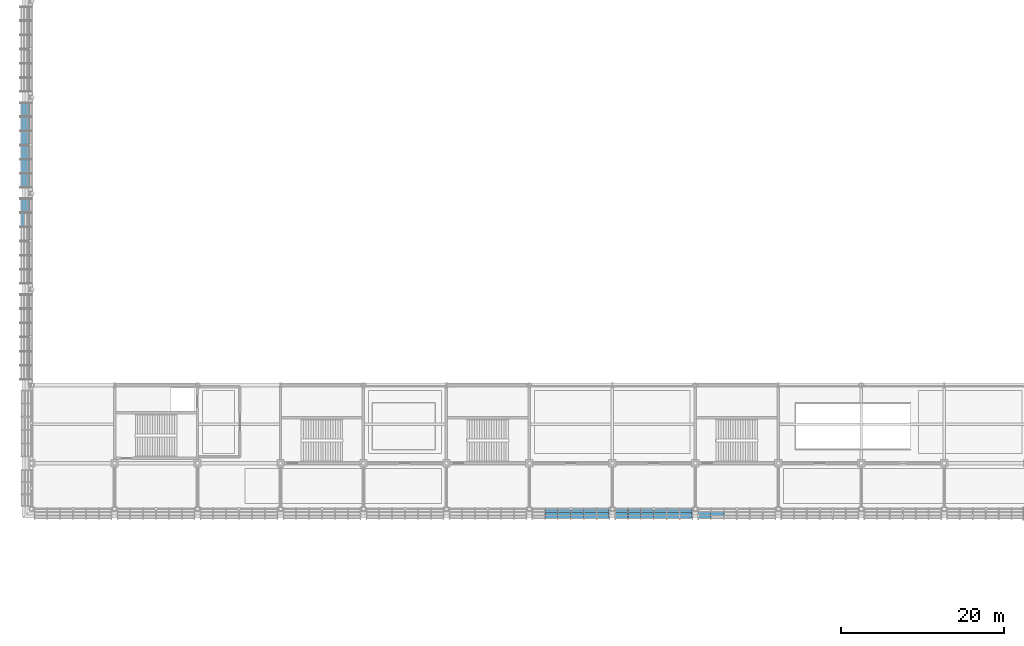
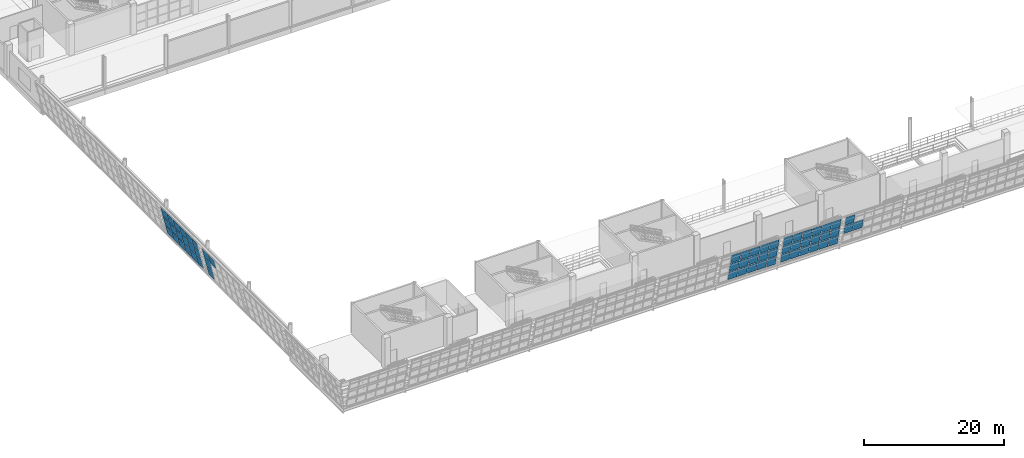
# One storey, part 105 of 175: 58 plates, 5 elements without a shape of their own.
"""IFC4 building model written with IfcOpenShell, lengths in metres."""

from ifc_helpers import new_model, si_unit, direction, frame, origin, place, context, subcontext, project, spatial, polyline, outline, extrude, material, layer, layer_set, type_object, element, aggregate, save


model = new_model("IFC4")

# Units and contexts
model_context = context("Model", 3, precision=1e-05, world=origin(), true_north=direction((0.0, 1.0)))
body_context = subcontext(model_context, "Body", "Model", "MODEL_VIEW")
ifc_project = project(units=[si_unit("LENGTHUNIT", "METRE"), si_unit("AREAUNIT", "SQUARE_METRE"), si_unit("VOLUMEUNIT", "CUBIC_METRE"), si_unit("PLANEANGLEUNIT", "RADIAN"), si_unit("MASSUNIT", "GRAM", prefix="KILO")], contexts=[model_context])

# Site, building, storey
site_placement = place(None, origin())
site = spatial("IfcSite", under=ifc_project, at=site_placement, CompositionType="ELEMENT")
building_placement = place(site_placement, origin())
building = spatial("IfcBuilding", under=site, at=building_placement, Name="Brelvane Convention Centre", CompositionType="ELEMENT")
storey_placement = place(building_placement, frame((0.0, 0.0, 5.39990234375)))
storey = spatial("IfcBuildingStorey", under=building, at=storey_placement, Name="L01", CompositionType="ELEMENT", Elevation=5.39990234375)

# Curtain wall, plates
ifc_material_1 = material(Name="Anodised Aluminium Alloy 6063-T6", Category="aluminium")
curtain_wall_type = type_object("IfcCurtainWallType", Name="Curtain Wall CW-HULL-S", PredefinedType="USERDEFINED", material=ifc_material_1)
curtain_wall_1_placement = place(storey_placement, origin())
curtain_wall_1 = element("IfcCurtainWall", 1, at=curtain_wall_1_placement, inside=storey, type_object=curtain_wall_type, Name="Curtain Wall CW-HULL-S L01-HULL-S-L01-07", ObjectType="UNITISED", PredefinedType="USERDEFINED")
ifc_material_2 = material(Name="Double Glazed Low-E Laminated Unit")
ifc_layer_1 = layer(ifc_material_2, 0.031982421875)
ifc_layer_set_1 = layer_set([ifc_layer_1], Name="Double Glazed Low-E Laminated Unit")
plate_type_1 = type_object("IfcPlateType", Name="Curtain Panel CW-PG1", PredefinedType="CURTAIN_PANEL", material=ifc_layer_set_1)
plate_1_placement = place(storey_placement, frame((63.1533203125, 13.18798828125, 1.7568359375), z_axis=(0.0, 0.973584535906, 0.228326852222), x_axis=(1.0, 0.0, 0.0)))
plate_1 = element("IfcPlate", 2, at=plate_1_placement, type_object=plate_type_1, Name="CW-HULL-S panel 2.2", PredefinedType="CURTAIN_PANEL", context=body_context, shape_type="SweptSolid", body=[
    extrude(outline(polyline([(0.0, 0.0), (1.513427734375, 0.0), (1.513427734375, -1.680875721647406), (0.0, -1.680875721647406), (0.0, 0.0)])), origin(), (0.0, 0.0, -1.0), 0.031982421875),
])
plate_2_placement = place(storey_placement, frame((63.1533203125, 12.785400390625, 3.473388671875), z_axis=(0.0, 0.973577021422, 0.228358891569), x_axis=(1.0, 0.0, 0.0)))
plate_2 = element("IfcPlate", 3, at=plate_2_placement, type_object=plate_type_1, Name="CW-HULL-S panel 2.3", PredefinedType="CURTAIN_PANEL", context=body_context, shape_type="SweptSolid", body=[
    extrude(outline(polyline([(0.0, 0.0), (1.513427734375, 0.0), (1.513427734375, -1.6400137352949753), (0.0, -1.6400137352949753), (0.0, 0.0)])), origin(), (0.0, 0.0, -1.0), 0.031982421875),
])
plate_3_placement = place(storey_placement, frame((64.74658203125, 13.18798828125, 1.7568359375), z_axis=(0.0, 0.973584535906, 0.228326852222), x_axis=(1.0, 0.0, 0.0)))
plate_3 = element("IfcPlate", 4, at=plate_3_placement, type_object=plate_type_1, Name="CW-HULL-S panel 3.2", PredefinedType="CURTAIN_PANEL", context=body_context, shape_type="SweptSolid", body=[
    extrude(outline(polyline([(0.0, 0.0), (1.513427734375, 0.0), (1.513427734375, -1.680875721647406), (0.0, -1.680875721647406), (0.0, 0.0)])), origin(), (0.0, 0.0, -1.0), 0.031982421875),
])
plate_4_placement = place(storey_placement, frame((64.74658203125, 12.785400390625, 3.473388671875), z_axis=(0.0, 0.973577021422, 0.228358891569), x_axis=(1.0, 0.0, 0.0)))
plate_4 = element("IfcPlate", 5, at=plate_4_placement, type_object=plate_type_1, Name="CW-HULL-S panel 3.3", PredefinedType="CURTAIN_PANEL", context=body_context, shape_type="SweptSolid", body=[
    extrude(outline(polyline([(0.0, 0.0), (1.513427734375, 0.0), (1.513427734375, -1.6400137352949753), (0.0, -1.6400137352949753), (0.0, 0.0)])), origin(), (0.0, 0.0, -1.0), 0.031982421875),
])
plate_5_placement = place(storey_placement, frame((66.340087890625, 13.18798828125, 1.7568359375), z_axis=(0.0, 0.973584535906, 0.228326852222), x_axis=(1.0, 0.0, 0.0)))
plate_5 = element("IfcPlate", 6, at=plate_5_placement, type_object=plate_type_1, Name="CW-HULL-S panel 4.2", PredefinedType="CURTAIN_PANEL", context=body_context, shape_type="SweptSolid", body=[
    extrude(outline(polyline([(0.0, 0.0), (1.51318359375, 0.0), (1.51318359375, -1.680875721647406), (0.0, -1.680875721647406), (0.0, 0.0)])), origin(), (0.0, 0.0, -1.0), 0.031982421875),
])
plate_6_placement = place(storey_placement, frame((66.340087890625, 12.785400390625, 3.473388671875), z_axis=(0.0, 0.973577021422, 0.228358891569), x_axis=(1.0, 0.0, 0.0)))
plate_6 = element("IfcPlate", 7, at=plate_6_placement, type_object=plate_type_1, Name="CW-HULL-S panel 4.3", PredefinedType="CURTAIN_PANEL", context=body_context, shape_type="SweptSolid", body=[
    extrude(outline(polyline([(0.0, 0.0), (1.51318359375, 0.0), (1.51318359375, -1.640013735294975), (0.0, -1.640013735294975), (0.0, 0.0)])), origin(), (0.0, 0.0, -1.0), 0.031982421875),
])
plate_7_placement = place(storey_placement, frame((67.933349609375, 13.18798828125, 1.7568359375), z_axis=(0.0, 0.973584535906, 0.228326852222), x_axis=(1.0, 0.0, 0.0)))
plate_7 = element("IfcPlate", 8, at=plate_7_placement, type_object=plate_type_1, Name="CW-HULL-S panel 5.2", PredefinedType="CURTAIN_PANEL", context=body_context, shape_type="SweptSolid", body=[
    extrude(outline(polyline([(0.0, 0.0), (1.513427734375, 0.0), (1.513427734375, -1.680875721647406), (0.0, -1.680875721647406), (0.0, 0.0)])), origin(), (0.0, 0.0, -1.0), 0.031982421875),
])
plate_8_placement = place(storey_placement, frame((67.933349609375, 12.785400390625, 3.473388671875), z_axis=(0.0, 0.973577021422, 0.228358891569), x_axis=(1.0, 0.0, 0.0)))
plate_8 = element("IfcPlate", 9, at=plate_8_placement, type_object=plate_type_1, Name="CW-HULL-S panel 5.3", PredefinedType="CURTAIN_PANEL", context=body_context, shape_type="SweptSolid", body=[
    extrude(outline(polyline([(0.0, 0.0), (1.513427734375, 0.0), (1.513427734375, -1.6400137352949753), (0.0, -1.6400137352949753), (0.0, 0.0)])), origin(), (0.0, 0.0, -1.0), 0.031982421875),
])
plate_9_placement = place(storey_placement, frame((69.526611328125, 13.18798828125, 1.7568359375), z_axis=(0.0, 0.973584535906, 0.228326852222), x_axis=(1.0, 0.0, 0.0)))
plate_9 = element("IfcPlate", 10, at=plate_9_placement, type_object=plate_type_1, Name="CW-HULL-S panel 6.2", PredefinedType="CURTAIN_PANEL", context=body_context, shape_type="SweptSolid", body=[
    extrude(outline(polyline([(0.0, 0.0), (1.473388671875, 0.0), (1.473388671875, -1.680875721647406), (0.0, -1.680875721647406), (0.0, 0.0)])), origin(), (0.0, 0.0, -1.0), 0.031982421875),
])
plate_10_placement = place(storey_placement, frame((69.526611328125, 12.785400390625, 3.473388671875), z_axis=(0.0, 0.973577021422, 0.228358891569), x_axis=(1.0, 0.0, 0.0)))
plate_10 = element("IfcPlate", 11, at=plate_10_placement, type_object=plate_type_1, Name="CW-HULL-S panel 6.3", PredefinedType="CURTAIN_PANEL", context=body_context, shape_type="SweptSolid", body=[
    extrude(outline(polyline([(0.0, 0.0), (1.473388671875, 0.0), (1.473388671875, -1.640013735294975), (0.0, -1.640013735294975), (0.0, 0.0)])), origin(), (0.0, 0.0, -1.0), 0.031982421875),
])

curtain_wall_2_placement = place(storey_placement, origin())
curtain_wall_2 = element("IfcCurtainWall", 12, at=curtain_wall_2_placement, inside=storey, type_object=curtain_wall_type, Name="Curtain Wall CW-HULL-S L01-HULL-S-L01-08", ObjectType="UNITISED", PredefinedType="USERDEFINED")
plate_11_placement = place(storey_placement, frame((71.800048828125, 13.18798828125, 1.7568359375), z_axis=(0.0, 0.973584535906, 0.228326852222), x_axis=(1.0, 0.0, 0.0)))
plate_11 = element("IfcPlate", 13, at=plate_11_placement, type_object=plate_type_1, Name="CW-HULL-S panel 1.2", PredefinedType="CURTAIN_PANEL", context=body_context, shape_type="SweptSolid", body=[
    extrude(outline(polyline([(0.0, 0.0), (1.473388671875, 0.0), (1.473388671875, -1.680875721647406), (0.0, -1.680875721647406), (0.0, 0.0)])), origin(), (0.0, 0.0, -1.0), 0.031982421875),
])
plate_12_placement = place(storey_placement, frame((71.800048828125, 12.785400390625, 3.473388671875), z_axis=(0.0, 0.973577021422, 0.228358891569), x_axis=(1.0, 0.0, 0.0)))
plate_12 = element("IfcPlate", 14, at=plate_12_placement, type_object=plate_type_1, Name="CW-HULL-S panel 1.3", PredefinedType="CURTAIN_PANEL", context=body_context, shape_type="SweptSolid", body=[
    extrude(outline(polyline([(0.0, 0.0), (1.473388671875, 0.0), (1.473388671875, -1.640013735294975), (0.0, -1.640013735294975), (0.0, 0.0)])), origin(), (0.0, 0.0, -1.0), 0.031982421875),
])
plate_13_placement = place(storey_placement, frame((73.353271484375, 13.18798828125, 1.7568359375), z_axis=(0.0, 0.973584535906, 0.228326852222), x_axis=(1.0, 0.0, 0.0)))
plate_13 = element("IfcPlate", 15, at=plate_13_placement, type_object=plate_type_1, Name="CW-HULL-S panel 2.2", PredefinedType="CURTAIN_PANEL", context=body_context, shape_type="SweptSolid", body=[
    extrude(outline(polyline([(0.0, 0.0), (1.513427734375, 0.0), (1.513427734375, -1.680875721647406), (0.0, -1.680875721647406), (0.0, 0.0)])), origin(), (0.0, 0.0, -1.0), 0.031982421875),
])
plate_14_placement = place(storey_placement, frame((73.353271484375, 12.785400390625, 3.473388671875), z_axis=(0.0, 0.973577021422, 0.228358891569), x_axis=(1.0, 0.0, 0.0)))
plate_14 = element("IfcPlate", 16, at=plate_14_placement, type_object=plate_type_1, Name="CW-HULL-S panel 2.3", PredefinedType="CURTAIN_PANEL", context=body_context, shape_type="SweptSolid", body=[
    extrude(outline(polyline([(0.0, 0.0), (1.513427734375, 0.0), (1.513427734375, -1.6400137352949753), (0.0, -1.6400137352949753), (0.0, 0.0)])), origin(), (0.0, 0.0, -1.0), 0.031982421875),
])
plate_15_placement = place(storey_placement, frame((74.94677734375, 13.18798828125, 1.7568359375), z_axis=(0.0, 0.973584535906, 0.228326852222), x_axis=(1.0, 0.0, 0.0)))
plate_15 = element("IfcPlate", 17, at=plate_15_placement, type_object=plate_type_1, Name="CW-HULL-S panel 3.2", PredefinedType="CURTAIN_PANEL", context=body_context, shape_type="SweptSolid", body=[
    extrude(outline(polyline([(0.0, 0.0), (1.51318359375, 0.0), (1.51318359375, -1.680875721647406), (0.0, -1.680875721647406), (0.0, 0.0)])), origin(), (0.0, 0.0, -1.0), 0.031982421875),
])
plate_16_placement = place(storey_placement, frame((74.94677734375, 12.785400390625, 3.473388671875), z_axis=(0.0, 0.973577021422, 0.228358891569), x_axis=(1.0, 0.0, 0.0)))
plate_16 = element("IfcPlate", 18, at=plate_16_placement, type_object=plate_type_1, Name="CW-HULL-S panel 3.3", PredefinedType="CURTAIN_PANEL", context=body_context, shape_type="SweptSolid", body=[
    extrude(outline(polyline([(0.0, 0.0), (1.51318359375, 0.0), (1.51318359375, -1.640013735294975), (0.0, -1.640013735294975), (0.0, 0.0)])), origin(), (0.0, 0.0, -1.0), 0.031982421875),
])
plate_17_placement = place(storey_placement, frame((76.5400390625, 13.18798828125, 1.7568359375), z_axis=(0.0, 0.973584535906, 0.228326852222), x_axis=(1.0, 0.0, 0.0)))
plate_17 = element("IfcPlate", 19, at=plate_17_placement, type_object=plate_type_1, Name="CW-HULL-S panel 4.2", PredefinedType="CURTAIN_PANEL", context=body_context, shape_type="SweptSolid", body=[
    extrude(outline(polyline([(0.0, 0.0), (1.51318359375, 0.0), (1.51318359375, -1.680875721647406), (0.0, -1.680875721647406), (0.0, 0.0)])), origin(), (0.0, 0.0, -1.0), 0.031982421875),
])
plate_18_placement = place(storey_placement, frame((76.5400390625, 12.785400390625, 3.473388671875), z_axis=(0.0, 0.973577021422, 0.228358891569), x_axis=(1.0, 0.0, 0.0)))
plate_18 = element("IfcPlate", 20, at=plate_18_placement, type_object=plate_type_1, Name="CW-HULL-S panel 4.3", PredefinedType="CURTAIN_PANEL", context=body_context, shape_type="SweptSolid", body=[
    extrude(outline(polyline([(0.0, 0.0), (1.51318359375, 0.0), (1.51318359375, -1.640013735294975), (0.0, -1.640013735294975), (0.0, 0.0)])), origin(), (0.0, 0.0, -1.0), 0.031982421875),
])
plate_19_placement = place(storey_placement, frame((78.13330078125, 13.18798828125, 1.7568359375), z_axis=(0.0, 0.973584535906, 0.228326852222), x_axis=(1.0, 0.0, 0.0)))
plate_19 = element("IfcPlate", 21, at=plate_19_placement, type_object=plate_type_1, Name="CW-HULL-S panel 5.2", PredefinedType="CURTAIN_PANEL", context=body_context, shape_type="SweptSolid", body=[
    extrude(outline(polyline([(0.0, 0.0), (1.513427734375, 0.0), (1.513427734375, -1.680875721647406), (0.0, -1.680875721647406), (0.0, 0.0)])), origin(), (0.0, 0.0, -1.0), 0.031982421875),
])
plate_20_placement = place(storey_placement, frame((78.13330078125, 12.785400390625, 3.473388671875), z_axis=(0.0, 0.973577021422, 0.228358891569), x_axis=(1.0, 0.0, 0.0)))
plate_20 = element("IfcPlate", 22, at=plate_20_placement, type_object=plate_type_1, Name="CW-HULL-S panel 5.3", PredefinedType="CURTAIN_PANEL", context=body_context, shape_type="SweptSolid", body=[
    extrude(outline(polyline([(0.0, 0.0), (1.513427734375, 0.0), (1.513427734375, -1.6400137352949753), (0.0, -1.6400137352949753), (0.0, 0.0)])), origin(), (0.0, 0.0, -1.0), 0.031982421875),
])
plate_21_placement = place(storey_placement, frame((79.7265625, 13.18798828125, 1.7568359375), z_axis=(0.0, 0.973584535906, 0.228326852222), x_axis=(1.0, 0.0, 0.0)))
plate_21 = element("IfcPlate", 23, at=plate_21_placement, type_object=plate_type_1, Name="CW-HULL-S panel 6.2", PredefinedType="CURTAIN_PANEL", context=body_context, shape_type="SweptSolid", body=[
    extrude(outline(polyline([(0.0, 0.0), (1.473388671875, 0.0), (1.473388671875, -1.680875721647406), (0.0, -1.680875721647406), (0.0, 0.0)])), origin(), (0.0, 0.0, -1.0), 0.031982421875),
])
plate_22_placement = place(storey_placement, frame((79.7265625, 12.785400390625, 3.473388671875), z_axis=(0.0, 0.973577021422, 0.228358891569), x_axis=(1.0, 0.0, 0.0)))
plate_22 = element("IfcPlate", 24, at=plate_22_placement, type_object=plate_type_1, Name="CW-HULL-S panel 6.3", PredefinedType="CURTAIN_PANEL", context=body_context, shape_type="SweptSolid", body=[
    extrude(outline(polyline([(0.0, 0.0), (1.473388671875, 0.0), (1.473388671875, -1.640013735294975), (0.0, -1.640013735294975), (0.0, 0.0)])), origin(), (0.0, 0.0, -1.0), 0.031982421875),
])

curtain_wall_3_placement = place(storey_placement, origin())
curtain_wall_3 = element("IfcCurtainWall", 25, at=curtain_wall_3_placement, inside=storey, type_object=curtain_wall_type, Name="Curtain Wall CW-HULL-S L01-HULL-S-L01-09", ObjectType="UNITISED", PredefinedType="USERDEFINED")
plate_23_placement = place(storey_placement, frame((82.0, 13.18798828125, 1.7568359375), z_axis=(0.0, 0.973584535906, 0.228326852222), x_axis=(1.0, 0.0, 0.0)))
plate_23 = element("IfcPlate", 26, at=plate_23_placement, type_object=plate_type_1, Name="CW-HULL-S panel 1.2", PredefinedType="CURTAIN_PANEL", context=body_context, shape_type="SweptSolid", body=[
    extrude(outline(polyline([(0.0, 0.0), (1.473388671875, 0.0), (1.473388671875, -1.680875721647406), (0.0, -1.680875721647406), (0.0, 0.0)])), origin(), (0.0, 0.0, -1.0), 0.031982421875),
])
plate_24_placement = place(storey_placement, frame((82.0, 12.785400390625, 3.473388671875), z_axis=(0.0, 0.973577021422, 0.228358891569), x_axis=(1.0, 0.0, 0.0)))
plate_24 = element("IfcPlate", 27, at=plate_24_placement, type_object=plate_type_1, Name="CW-HULL-S panel 1.3", PredefinedType="CURTAIN_PANEL", context=body_context, shape_type="SweptSolid", body=[
    extrude(outline(polyline([(0.0, 0.0), (1.473388671875, 0.0), (1.473388671875, -1.640013735294975), (0.0, -1.640013735294975), (0.0, 0.0)])), origin(), (0.0, 0.0, -1.0), 0.031982421875),
])
plate_25_placement = place(storey_placement, frame((83.55322265625, 13.18798828125, 1.7568359375), z_axis=(0.0, 0.973584535906, 0.228326852222), x_axis=(1.0, 0.0, 0.0)))
plate_25 = element("IfcPlate", 28, at=plate_25_placement, type_object=plate_type_1, Name="CW-HULL-S panel 2.2", PredefinedType="CURTAIN_PANEL", context=body_context, shape_type="SweptSolid", body=[
    extrude(outline(polyline([(0.0, 0.0), (1.513427734375, 0.0), (1.513427734375, -1.680875721647406), (0.0, -1.680875721647406), (0.0, 0.0)])), origin(), (0.0, 0.0, -1.0), 0.031982421875),
])
aggregate(curtain_wall_3, [plate_23, plate_24, plate_25])

curtain_wall_4_placement = place(storey_placement, origin())
curtain_wall_4 = element("IfcCurtainWall", 29, at=curtain_wall_4_placement, inside=storey, type_object=curtain_wall_type, Name="Curtain Wall CW-HULL-S L01-HULL-W-L01-2", ObjectType="UNITISED", PredefinedType="USERDEFINED")
plate_26_placement = place(storey_placement, frame((-0.939453125, 48.28759765625, 3.428466796875), z_axis=(0.973592305748, 0.0, 0.228293719116), x_axis=(0.0, 1.0, 0.0)))
plate_26 = element("IfcPlate", 30, at=plate_26_placement, type_object=plate_type_1, Name="CW-HULL-S panel 5.3", PredefinedType="CURTAIN_PANEL", context=body_context, shape_type="SweptSolid", body=[
    extrude(outline(polyline([(0.0, 0.0), (1.6748046875, 0.0), (1.6748046875, 1.624440702142172), (0.0, 1.624440702142172), (0.0, 0.0)])), origin(), (0.0, 0.0, -1.0), 0.031982421875),
])
plate_27_placement = place(storey_placement, frame((-0.543701171875, 50.03759765625, 1.74169921875), z_axis=(0.9735519665, 0.0, 0.22846568347), x_axis=(0.0, 1.0, 0.0)))
plate_27 = element("IfcPlate", 31, at=plate_27_placement, type_object=plate_type_1, Name="CW-HULL-S panel 6.2", PredefinedType="CURTAIN_PANEL", context=body_context, shape_type="SweptSolid", body=[
    extrude(outline(polyline([(0.0, 0.0), (1.637451171875, 0.0), (1.637451171875, 1.6606193345403597), (0.0, 1.6606193345403597), (0.0, 0.0)])), origin(), (0.0, 0.0, -1.0), 0.031982421875),
])
plate_28_placement = place(storey_placement, frame((-0.939453125, 50.03759765625, 3.428466796875), z_axis=(0.973592305748, 0.0, 0.228293719116), x_axis=(0.0, 1.0, 0.0)))
plate_28 = element("IfcPlate", 32, at=plate_28_placement, type_object=plate_type_1, Name="CW-HULL-S panel 6.3", PredefinedType="CURTAIN_PANEL", context=body_context, shape_type="SweptSolid", body=[
    extrude(outline(polyline([(0.0, 0.0), (1.637451171875, 0.0), (1.637451171875, 1.6244407021421723), (0.0, 1.6244407021421723), (0.0, 0.0)])), origin(), (0.0, 0.0, -1.0), 0.031982421875),
])

curtain_wall_5_placement = place(storey_placement, origin())
curtain_wall_5 = element("IfcCurtainWall", 33, at=curtain_wall_5_placement, inside=storey, type_object=curtain_wall_type, Name="Curtain Wall CW-HULL-S L01-HULL-W-L01-3", ObjectType="UNITISED", PredefinedType="USERDEFINED")
plate_29_placement = place(storey_placement, frame((-0.543701171875, 53.125, 1.74169921875), z_axis=(0.9735519665, 0.0, 0.22846568347), x_axis=(0.0, 1.0, 0.0)))
plate_29 = element("IfcPlate", 34, at=plate_29_placement, type_object=plate_type_1, Name="CW-HULL-S panel 1.2", PredefinedType="CURTAIN_PANEL", context=body_context, shape_type="SweptSolid", body=[
    extrude(outline(polyline([(0.0, 0.0), (1.637451171875, 0.0), (1.637451171875, 1.6606193345403597), (0.0, 1.6606193345403597), (0.0, 0.0)])), origin(), (0.0, 0.0, -1.0), 0.031982421875),
])
plate_30_placement = place(storey_placement, frame((-0.939453125, 53.125, 3.428466796875), z_axis=(0.973592305748, 0.0, 0.228293719116), x_axis=(0.0, 1.0, 0.0)))
plate_30 = element("IfcPlate", 35, at=plate_30_placement, type_object=plate_type_1, Name="CW-HULL-S panel 1.3", PredefinedType="CURTAIN_PANEL", context=body_context, shape_type="SweptSolid", body=[
    extrude(outline(polyline([(0.0, 0.0), (1.637451171875, 0.0), (1.637451171875, 1.6244407021421723), (0.0, 1.6244407021421723), (0.0, 0.0)])), origin(), (0.0, 0.0, -1.0), 0.031982421875),
])
plate_31_placement = place(storey_placement, frame((-0.543701171875, 54.83740234375, 1.74169921875), z_axis=(0.9735519665, 0.0, 0.22846568347), x_axis=(0.0, 1.0, 0.0)))
plate_31 = element("IfcPlate", 36, at=plate_31_placement, type_object=plate_type_1, Name="CW-HULL-S panel 2.2", PredefinedType="CURTAIN_PANEL", context=body_context, shape_type="SweptSolid", body=[
    extrude(outline(polyline([(0.0, 0.0), (1.675048828125, 0.0), (1.675048828125, 1.66061933454036), (0.0, 1.66061933454036), (0.0, 0.0)])), origin(), (0.0, 0.0, -1.0), 0.031982421875),
])
plate_32_placement = place(storey_placement, frame((-0.939453125, 54.83740234375, 3.428466796875), z_axis=(0.973592305748, 0.0, 0.228293719116), x_axis=(0.0, 1.0, 0.0)))
plate_32 = element("IfcPlate", 37, at=plate_32_placement, type_object=plate_type_1, Name="CW-HULL-S panel 2.3", PredefinedType="CURTAIN_PANEL", context=body_context, shape_type="SweptSolid", body=[
    extrude(outline(polyline([(0.0, 0.0), (1.675048828125, 0.0), (1.675048828125, 1.624440702142172), (0.0, 1.624440702142172), (0.0, 0.0)])), origin(), (0.0, 0.0, -1.0), 0.031982421875),
])
plate_33_placement = place(storey_placement, frame((-0.543701171875, 56.58740234375, 1.74169921875), z_axis=(0.9735519665, 0.0, 0.22846568347), x_axis=(0.0, 1.0, 0.0)))
plate_33 = element("IfcPlate", 38, at=plate_33_placement, type_object=plate_type_1, Name="CW-HULL-S panel 3.2", PredefinedType="CURTAIN_PANEL", context=body_context, shape_type="SweptSolid", body=[
    extrude(outline(polyline([(0.0, 0.0), (1.675048828125, 0.0), (1.675048828125, 1.66061933454036), (0.0, 1.66061933454036), (0.0, 0.0)])), origin(), (0.0, 0.0, -1.0), 0.031982421875),
])
plate_34_placement = place(storey_placement, frame((-0.939453125, 56.58740234375, 3.428466796875), z_axis=(0.973592305748, 0.0, 0.228293719116), x_axis=(0.0, 1.0, 0.0)))
plate_34 = element("IfcPlate", 39, at=plate_34_placement, type_object=plate_type_1, Name="CW-HULL-S panel 3.3", PredefinedType="CURTAIN_PANEL", context=body_context, shape_type="SweptSolid", body=[
    extrude(outline(polyline([(0.0, 0.0), (1.675048828125, 0.0), (1.675048828125, 1.624440702142172), (0.0, 1.624440702142172), (0.0, 0.0)])), origin(), (0.0, 0.0, -1.0), 0.031982421875),
])
plate_35_placement = place(storey_placement, frame((-0.543701171875, 58.33740234375, 1.74169921875), z_axis=(0.9735519665, 0.0, 0.22846568347), x_axis=(0.0, 1.0, 0.0)))
plate_35 = element("IfcPlate", 40, at=plate_35_placement, type_object=plate_type_1, Name="CW-HULL-S panel 4.2", PredefinedType="CURTAIN_PANEL", context=body_context, shape_type="SweptSolid", body=[
    extrude(outline(polyline([(0.0, 0.0), (1.675048828125, 0.0), (1.675048828125, 1.66061933454036), (0.0, 1.66061933454036), (0.0, 0.0)])), origin(), (0.0, 0.0, -1.0), 0.031982421875),
])
plate_36_placement = place(storey_placement, frame((-0.939453125, 58.33740234375, 3.428466796875), z_axis=(0.973592305748, 0.0, 0.228293719116), x_axis=(0.0, 1.0, 0.0)))
plate_36 = element("IfcPlate", 41, at=plate_36_placement, type_object=plate_type_1, Name="CW-HULL-S panel 4.3", PredefinedType="CURTAIN_PANEL", context=body_context, shape_type="SweptSolid", body=[
    extrude(outline(polyline([(0.0, 0.0), (1.675048828125, 0.0), (1.675048828125, 1.624440702142172), (0.0, 1.624440702142172), (0.0, 0.0)])), origin(), (0.0, 0.0, -1.0), 0.031982421875),
])
plate_37_placement = place(storey_placement, frame((-0.543701171875, 60.08740234375, 1.74169921875), z_axis=(0.9735519665, 0.0, 0.22846568347), x_axis=(0.0, 1.0, 0.0)))
plate_37 = element("IfcPlate", 42, at=plate_37_placement, type_object=plate_type_1, Name="CW-HULL-S panel 5.2", PredefinedType="CURTAIN_PANEL", context=body_context, shape_type="SweptSolid", body=[
    extrude(outline(polyline([(0.0, 0.0), (1.675048828125, 0.0), (1.675048828125, 1.66061933454036), (0.0, 1.66061933454036), (0.0, 0.0)])), origin(), (0.0, 0.0, -1.0), 0.031982421875),
])
plate_38_placement = place(storey_placement, frame((-0.939453125, 60.08740234375, 3.428466796875), z_axis=(0.973592305748, 0.0, 0.228293719116), x_axis=(0.0, 1.0, 0.0)))
plate_38 = element("IfcPlate", 43, at=plate_38_placement, type_object=plate_type_1, Name="CW-HULL-S panel 5.3", PredefinedType="CURTAIN_PANEL", context=body_context, shape_type="SweptSolid", body=[
    extrude(outline(polyline([(0.0, 0.0), (1.675048828125, 0.0), (1.675048828125, 1.624440702142172), (0.0, 1.624440702142172), (0.0, 0.0)])), origin(), (0.0, 0.0, -1.0), 0.031982421875),
])
plate_39_placement = place(storey_placement, frame((-0.543701171875, 61.83740234375, 1.74169921875), z_axis=(0.9735519665, 0.0, 0.22846568347), x_axis=(0.0, 1.0, 0.0)))
plate_39 = element("IfcPlate", 44, at=plate_39_placement, type_object=plate_type_1, Name="CW-HULL-S panel 6.2", PredefinedType="CURTAIN_PANEL", context=body_context, shape_type="SweptSolid", body=[
    extrude(outline(polyline([(0.0, 0.0), (1.6376953125, 0.0), (1.6376953125, 1.66061933454036), (0.0, 1.66061933454036), (0.0, 0.0)])), origin(), (0.0, 0.0, -1.0), 0.031982421875),
])
plate_40_placement = place(storey_placement, frame((-0.939453125, 61.83740234375, 3.428466796875), z_axis=(0.973592305748, 0.0, 0.228293719116), x_axis=(0.0, 1.0, 0.0)))
plate_40 = element("IfcPlate", 45, at=plate_40_placement, type_object=plate_type_1, Name="CW-HULL-S panel 6.3", PredefinedType="CURTAIN_PANEL", context=body_context, shape_type="SweptSolid", body=[
    extrude(outline(polyline([(0.0, 0.0), (1.6376953125, 0.0), (1.6376953125, 1.6244407021421723), (0.0, 1.6244407021421723), (0.0, 0.0)])), origin(), (0.0, 0.0, -1.0), 0.031982421875),
])

# Plate
ifc_material_3 = material(Name="Patinated Copper-Bronze Alloy C22000")
ifc_layer_2 = layer(ifc_material_3, 0.048095703125)
ifc_layer_set_2 = layer_set([ifc_layer_2], Name="Patinated Copper-Bronze Alloy C22000")
plate_type_2 = type_object("IfcPlateType", Name="Curtain Panel CW-PS1", PredefinedType="CURTAIN_PANEL", material=ifc_layer_set_2)
plate_41_placement = place(storey_placement, frame((63.1533203125, 13.581298828125, 0.080078125), z_axis=(0.0, 0.973577021422, 0.228358891569), x_axis=(1.0, 0.0, 0.0)))
plate_41 = element("IfcPlate", 46, at=plate_41_placement, type_object=plate_type_2, Name="CW-HULL-S panel 2.1", PredefinedType="CURTAIN_PANEL", context=body_context, shape_type="SweptSolid", body=[
    extrude(outline(polyline([(0.0, 0.0), (1.513427734375, 0.0), (1.513427734375, -1.6400137352949753), (0.0, -1.6400137352949753), (0.0, 0.0)])), origin(), (0.0, 0.0, -1.0), 0.031982421875),
])

plate_42_placement = place(storey_placement, frame((64.74658203125, 13.581298828125, 0.080078125), z_axis=(0.0, 0.973577021422, 0.228358891569), x_axis=(1.0, 0.0, 0.0)))
plate_42 = element("IfcPlate", 47, at=plate_42_placement, type_object=plate_type_2, Name="CW-HULL-S panel 3.1", PredefinedType="CURTAIN_PANEL", context=body_context, shape_type="SweptSolid", body=[
    extrude(outline(polyline([(0.0, 0.0), (1.513427734375, 0.0), (1.513427734375, -1.6400137352949753), (0.0, -1.6400137352949753), (0.0, 0.0)])), origin(), (0.0, 0.0, -1.0), 0.031982421875),
])

plate_43_placement = place(storey_placement, frame((66.340087890625, 13.581298828125, 0.080078125), z_axis=(0.0, 0.973577021422, 0.228358891569), x_axis=(1.0, 0.0, 0.0)))
plate_43 = element("IfcPlate", 48, at=plate_43_placement, type_object=plate_type_2, Name="CW-HULL-S panel 4.1", PredefinedType="CURTAIN_PANEL", context=body_context, shape_type="SweptSolid", body=[
    extrude(outline(polyline([(0.0, 0.0), (1.51318359375, 0.0), (1.51318359375, -1.640013735294975), (0.0, -1.640013735294975), (0.0, 0.0)])), origin(), (0.0, 0.0, -1.0), 0.031982421875),
])

plate_44_placement = place(storey_placement, frame((67.933349609375, 13.581298828125, 0.080078125), z_axis=(0.0, 0.973577021422, 0.228358891569), x_axis=(1.0, 0.0, 0.0)))
plate_44 = element("IfcPlate", 49, at=plate_44_placement, type_object=plate_type_2, Name="CW-HULL-S panel 5.1", PredefinedType="CURTAIN_PANEL", context=body_context, shape_type="SweptSolid", body=[
    extrude(outline(polyline([(0.0, 0.0), (1.513427734375, 0.0), (1.513427734375, -1.6400137352949753), (0.0, -1.6400137352949753), (0.0, 0.0)])), origin(), (0.0, 0.0, -1.0), 0.031982421875),
])

plate_45_placement = place(storey_placement, frame((69.526611328125, 13.581298828125, 0.080078125), z_axis=(0.0, 0.973577021422, 0.228358891569), x_axis=(1.0, 0.0, 0.0)))
plate_45 = element("IfcPlate", 50, at=plate_45_placement, type_object=plate_type_2, Name="CW-HULL-S panel 6.1", PredefinedType="CURTAIN_PANEL", context=body_context, shape_type="SweptSolid", body=[
    extrude(outline(polyline([(0.0, 0.0), (1.473388671875, 0.0), (1.473388671875, -1.640013735294975), (0.0, -1.640013735294975), (0.0, 0.0)])), origin(), (0.0, 0.0, -1.0), 0.031982421875),
])

aggregate(curtain_wall_1, [plate_41, plate_1, plate_2, plate_42, plate_3, plate_4, plate_43, plate_5, plate_6, plate_44, plate_7, plate_8, plate_45, plate_9, plate_10])

plate_46_placement = place(storey_placement, frame((71.800048828125, 13.581298828125, 0.080078125), z_axis=(0.0, 0.973577021422, 0.228358891569), x_axis=(1.0, 0.0, 0.0)))
plate_46 = element("IfcPlate", 51, at=plate_46_placement, type_object=plate_type_2, Name="CW-HULL-S panel 1.1", PredefinedType="CURTAIN_PANEL", context=body_context, shape_type="SweptSolid", body=[
    extrude(outline(polyline([(0.0, 0.0), (1.473388671875, 0.0), (1.473388671875, -1.640013735294975), (0.0, -1.640013735294975), (0.0, 0.0)])), origin(), (0.0, 0.0, -1.0), 0.031982421875),
])

plate_47_placement = place(storey_placement, frame((73.353271484375, 13.581298828125, 0.080078125), z_axis=(0.0, 0.973577021422, 0.228358891569), x_axis=(1.0, 0.0, 0.0)))
plate_47 = element("IfcPlate", 52, at=plate_47_placement, type_object=plate_type_2, Name="CW-HULL-S panel 2.1", PredefinedType="CURTAIN_PANEL", context=body_context, shape_type="SweptSolid", body=[
    extrude(outline(polyline([(0.0, 0.0), (1.513427734375, 0.0), (1.513427734375, -1.6400137352949753), (0.0, -1.6400137352949753), (0.0, 0.0)])), origin(), (0.0, 0.0, -1.0), 0.031982421875),
])

plate_48_placement = place(storey_placement, frame((74.94677734375, 13.581298828125, 0.080078125), z_axis=(0.0, 0.973577021422, 0.228358891569), x_axis=(1.0, 0.0, 0.0)))
plate_48 = element("IfcPlate", 53, at=plate_48_placement, type_object=plate_type_2, Name="CW-HULL-S panel 3.1", PredefinedType="CURTAIN_PANEL", context=body_context, shape_type="SweptSolid", body=[
    extrude(outline(polyline([(0.0, 0.0), (1.51318359375, 0.0), (1.51318359375, -1.640013735294975), (0.0, -1.640013735294975), (0.0, 0.0)])), origin(), (0.0, 0.0, -1.0), 0.031982421875),
])

plate_49_placement = place(storey_placement, frame((76.5400390625, 13.581298828125, 0.080078125), z_axis=(0.0, 0.973577021422, 0.228358891569), x_axis=(1.0, 0.0, 0.0)))
plate_49 = element("IfcPlate", 54, at=plate_49_placement, type_object=plate_type_2, Name="CW-HULL-S panel 4.1", PredefinedType="CURTAIN_PANEL", context=body_context, shape_type="SweptSolid", body=[
    extrude(outline(polyline([(0.0, 0.0), (1.51318359375, 0.0), (1.51318359375, -1.640013735294975), (0.0, -1.640013735294975), (0.0, 0.0)])), origin(), (0.0, 0.0, -1.0), 0.031982421875),
])

plate_50_placement = place(storey_placement, frame((78.13330078125, 13.581298828125, 0.080078125), z_axis=(0.0, 0.973577021422, 0.228358891569), x_axis=(1.0, 0.0, 0.0)))
plate_50 = element("IfcPlate", 55, at=plate_50_placement, type_object=plate_type_2, Name="CW-HULL-S panel 5.1", PredefinedType="CURTAIN_PANEL", context=body_context, shape_type="SweptSolid", body=[
    extrude(outline(polyline([(0.0, 0.0), (1.513427734375, 0.0), (1.513427734375, -1.6400137352949753), (0.0, -1.6400137352949753), (0.0, 0.0)])), origin(), (0.0, 0.0, -1.0), 0.031982421875),
])

plate_51_placement = place(storey_placement, frame((79.7265625, 13.581298828125, 0.080078125), z_axis=(0.0, 0.973577021422, 0.228358891569), x_axis=(1.0, 0.0, 0.0)))
plate_51 = element("IfcPlate", 56, at=plate_51_placement, type_object=plate_type_2, Name="CW-HULL-S panel 6.1", PredefinedType="CURTAIN_PANEL", context=body_context, shape_type="SweptSolid", body=[
    extrude(outline(polyline([(0.0, 0.0), (1.473388671875, 0.0), (1.473388671875, -1.640013735294975), (0.0, -1.640013735294975), (0.0, 0.0)])), origin(), (0.0, 0.0, -1.0), 0.031982421875),
])

aggregate(curtain_wall_2, [plate_46, plate_11, plate_12, plate_47, plate_13, plate_14, plate_48, plate_15, plate_16, plate_49, plate_17, plate_18, plate_50, plate_19, plate_20, plate_51, plate_21, plate_22])

plate_52_placement = place(storey_placement, frame((-0.156494140625, 50.03759765625, 0.090087890625), z_axis=(0.973600136957, 0.0, 0.228260319191), x_axis=(0.0, 1.0, 0.0)))
plate_52 = element("IfcPlate", 57, at=plate_52_placement, type_object=plate_type_2, Name="CW-HULL-S panel 6.1", PredefinedType="CURTAIN_PANEL", context=body_context, shape_type="SweptSolid", body=[
    extrude(outline(polyline([(0.0, 0.0), (1.637451171875, 0.0), (1.637451171875, 1.624678396532221), (0.0, 1.624678396532221), (0.0, 0.0)])), origin(), (0.0, 0.0, -1.0), 0.031982421875),
])

aggregate(curtain_wall_4, [plate_26, plate_52, plate_27, plate_28])

plate_53_placement = place(storey_placement, frame((-0.156494140625, 53.125, 0.090087890625), z_axis=(0.973600136957, 0.0, 0.228260319191), x_axis=(0.0, 1.0, 0.0)))
plate_53 = element("IfcPlate", 58, at=plate_53_placement, type_object=plate_type_2, Name="CW-HULL-S panel 1.1", PredefinedType="CURTAIN_PANEL", context=body_context, shape_type="SweptSolid", body=[
    extrude(outline(polyline([(0.0, 0.0), (1.637451171875, 0.0), (1.637451171875, 1.624678396532221), (0.0, 1.624678396532221), (0.0, 0.0)])), origin(), (0.0, 0.0, -1.0), 0.031982421875),
])

plate_54_placement = place(storey_placement, frame((-0.156494140625, 54.83740234375, 0.090087890625), z_axis=(0.973600136957, 0.0, 0.228260319191), x_axis=(0.0, 1.0, 0.0)))
plate_54 = element("IfcPlate", 59, at=plate_54_placement, type_object=plate_type_2, Name="CW-HULL-S panel 2.1", PredefinedType="CURTAIN_PANEL", context=body_context, shape_type="SweptSolid", body=[
    extrude(outline(polyline([(0.0, 0.0), (1.675048828125, 0.0), (1.675048828125, 1.624678396532221), (0.0, 1.624678396532221), (0.0, 0.0)])), origin(), (0.0, 0.0, -1.0), 0.031982421875),
])

plate_55_placement = place(storey_placement, frame((-0.156494140625, 56.58740234375, 0.090087890625), z_axis=(0.973600136957, 0.0, 0.228260319191), x_axis=(0.0, 1.0, 0.0)))
plate_55 = element("IfcPlate", 60, at=plate_55_placement, type_object=plate_type_2, Name="CW-HULL-S panel 3.1", PredefinedType="CURTAIN_PANEL", context=body_context, shape_type="SweptSolid", body=[
    extrude(outline(polyline([(0.0, 0.0), (1.675048828125, 0.0), (1.675048828125, 1.624678396532221), (0.0, 1.624678396532221), (0.0, 0.0)])), origin(), (0.0, 0.0, -1.0), 0.031982421875),
])

plate_56_placement = place(storey_placement, frame((-0.156494140625, 58.33740234375, 0.090087890625), z_axis=(0.973600136957, 0.0, 0.228260319191), x_axis=(0.0, 1.0, 0.0)))
plate_56 = element("IfcPlate", 61, at=plate_56_placement, type_object=plate_type_2, Name="CW-HULL-S panel 4.1", PredefinedType="CURTAIN_PANEL", context=body_context, shape_type="SweptSolid", body=[
    extrude(outline(polyline([(0.0, 0.0), (1.675048828125, 0.0), (1.675048828125, 1.624678396532221), (0.0, 1.624678396532221), (0.0, 0.0)])), origin(), (0.0, 0.0, -1.0), 0.031982421875),
])

plate_57_placement = place(storey_placement, frame((-0.156494140625, 60.08740234375, 0.090087890625), z_axis=(0.973600136957, 0.0, 0.228260319191), x_axis=(0.0, 1.0, 0.0)))
plate_57 = element("IfcPlate", 62, at=plate_57_placement, type_object=plate_type_2, Name="CW-HULL-S panel 5.1", PredefinedType="CURTAIN_PANEL", context=body_context, shape_type="SweptSolid", body=[
    extrude(outline(polyline([(0.0, 0.0), (1.675048828125, 0.0), (1.675048828125, 1.624678396532221), (0.0, 1.624678396532221), (0.0, 0.0)])), origin(), (0.0, 0.0, -1.0), 0.031982421875),
])

plate_58_placement = place(storey_placement, frame((-0.156494140625, 61.83740234375, 0.090087890625), z_axis=(0.973600136957, 0.0, 0.228260319191), x_axis=(0.0, 1.0, 0.0)))
plate_58 = element("IfcPlate", 63, at=plate_58_placement, type_object=plate_type_2, Name="CW-HULL-S panel 6.1", PredefinedType="CURTAIN_PANEL", context=body_context, shape_type="SweptSolid", body=[
    extrude(outline(polyline([(0.0, 0.0), (1.6376953125, 0.0), (1.6376953125, 1.624678396532221), (0.0, 1.624678396532221), (0.0, 0.0)])), origin(), (0.0, 0.0, -1.0), 0.031982421875),
])

aggregate(curtain_wall_5, [plate_53, plate_29, plate_30, plate_54, plate_31, plate_32, plate_55, plate_33, plate_34, plate_56, plate_35, plate_36, plate_57, plate_37, plate_38, plate_58, plate_39, plate_40])

save(model, "model.ifc")
